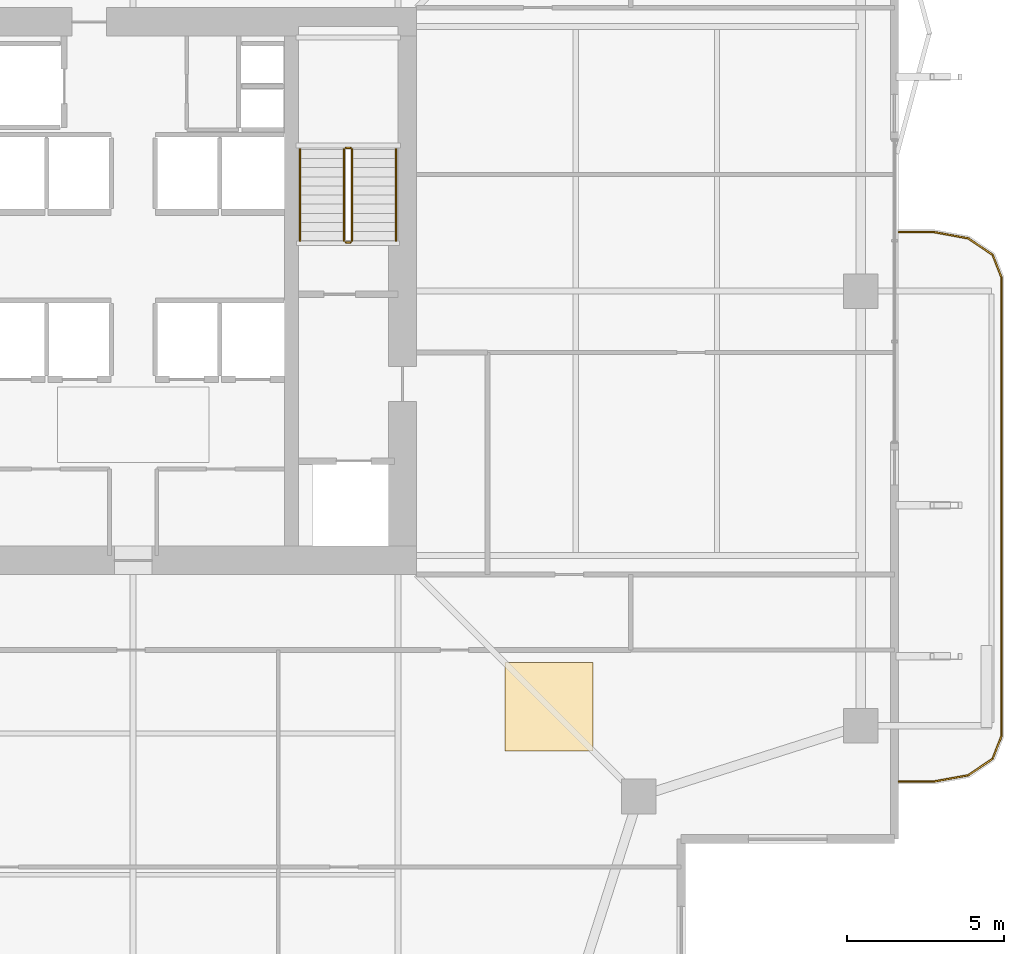
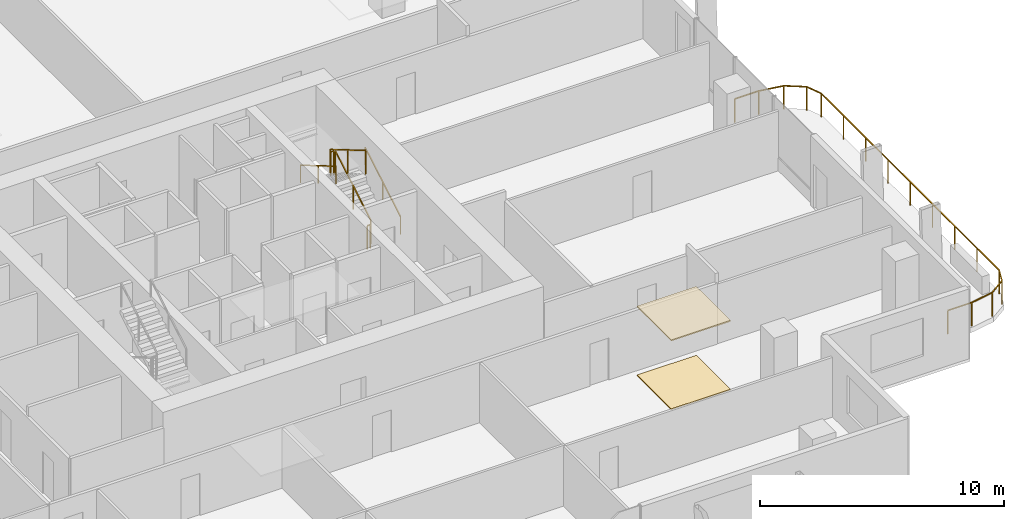
# One storey, part 24 of 25: 7 railings, 2 coverings.
"""IFC4 building model written with IfcOpenShell, lengths in metres."""

from ifc_helpers import new_model, si_unit, direction, frame, origin, origin_2d, place, context, subcontext, project, spatial, polyline, rectangle, outline, extrude, material, layer, layer_set, type_object, element, save


model = new_model("IFC4")

# Units and contexts
model_context = context("Model", 3, precision=1e-05, world=origin(), true_north=direction((0.0, 1.0)))
body_context = subcontext(model_context, "Body", "Model", "MODEL_VIEW")
ifc_project = project(units=[si_unit("LENGTHUNIT", "METRE"), si_unit("AREAUNIT", "SQUARE_METRE"), si_unit("VOLUMEUNIT", "CUBIC_METRE"), si_unit("PLANEANGLEUNIT", "RADIAN"), si_unit("MASSUNIT", "GRAM", prefix="KILO")], contexts=[model_context])

# Site, building, storey
site_placement = place(None, origin())
site = spatial("IfcSite", under=ifc_project, at=site_placement, CompositionType="ELEMENT")
building_placement = place(site_placement, origin())
building = spatial("IfcBuilding", under=site, at=building_placement, Name="Belovzor Exchange Tower", CompositionType="ELEMENT")
storey_placement = place(building_placement, frame((0.0, 0.0, 149.550048828125)))
storey = spatial("IfcBuildingStorey", under=building, at=storey_placement, Name="L36", CompositionType="ELEMENT", Elevation=149.550048828125)

# Railings
ifc_material_1 = material(Name="Stainless Steel Grade 304", Category="steel")
railing_type_1 = type_object("IfcRailingType", Name="Brushed Stainless Steel Stair Handrail 900", PredefinedType="HANDRAIL", material=ifc_material_1)
railing_1_placement = place(storey_placement, frame((37.14990234375, 30.39990234375, 0.17041015625)))
element("IfcRailing", 1, at=railing_1_placement, inside=storey, type_object=railing_type_1, Name="L36 ST-2 stair handrail 1", PredefinedType="HANDRAIL", context=body_context, shape_type="SweptSolid", body=[
    extrude(rectangle(XDim=0.048095703125, YDim=0.048095703125, at=origin_2d()), frame((0.0, 0.0, 0.8759765625), z_axis=(0.0, 0.862113265706, 0.506715617574), x_axis=(-1.0, 0.0, 0.0)), (0.0, 0.0, 1.0), 3.364013671875),
    extrude(rectangle(XDim=0.0419921875, YDim=0.0419921875, at=origin_2d()), origin(), (0.0, 0.0, 1.0), 0.851806640625),
    extrude(rectangle(XDim=0.0419921875, YDim=0.0419921875, at=origin_2d()), frame((0.0, 1.4501953125, 0.852294921875)), (0.0, 0.0, 1.0), 0.851806640625),
    extrude(rectangle(XDim=0.0419921875, YDim=0.0419921875, at=origin_2d()), frame((0.0, 2.900146484375, 1.70458984375)), (0.0, 0.0, 1.0), 0.851806640625),
])
railing_2_placement = place(storey_placement, frame((34.10009765625, 33.300048828125, 2.04541015625)))
element("IfcRailing", 2, at=railing_2_placement, inside=storey, type_object=railing_type_1, Name="L36 ST-2 stair handrail 2", PredefinedType="HANDRAIL", context=body_context, shape_type="SweptSolid", body=[
    extrude(rectangle(XDim=0.048095703125, YDim=0.048095703125, at=origin_2d()), frame((0.0, 0.0, 0.8759765625), z_axis=(0.0, -0.862113265706, 0.506715617574), x_axis=(1.0, 0.0, 0.0)), (0.0, 0.0, 1.0), 3.364013671875),
    extrude(rectangle(XDim=0.0419921875, YDim=0.0419921875, at=origin_2d()), origin(), (0.0, 0.0, 1.0), 0.851806640625),
    extrude(rectangle(XDim=0.0419921875, YDim=0.0419921875, at=origin_2d()), frame((0.0, -1.4501953125, 0.852294921875)), (0.0, 0.0, 1.0), 0.851806640625),
    extrude(rectangle(XDim=0.0419921875, YDim=0.0419921875, at=origin_2d()), frame((0.0, -2.900146484375, 1.70458984375)), (0.0, 0.0, 1.0), 0.851806640625),
])
ifc_material_2 = material(Name="Stainless Steel and Laminated Safety Glass", Category="steel")
railing_type_2 = type_object("IfcRailingType", Name="Laminated Glass & Stainless Steel Balcony Balustrade 1200", PredefinedType="BALUSTRADE", material=ifc_material_2)
railing_3_placement = place(storey_placement, frame((53.110107421875, 13.22998046875, 0.0)))
element("IfcRailing", 3, at=railing_3_placement, inside=storey, type_object=railing_type_2, Name="GR-1 Balcony Balustrade L36 East", PredefinedType="BALUSTRADE", context=body_context, shape_type="SweptSolid", body=[
    extrude(rectangle(XDim=0.048095703125, YDim=0.048095703125, at=origin_2d()), frame((0.0, 0.0, 1.17578125), z_axis=(1.0, 0.0, 0.0), x_axis=(0.0, 1.0, 0.0)), (0.0, 0.0, 1.0), 1.1328125),
    extrude(rectangle(XDim=0.048095703125, YDim=0.048095703125, at=origin_2d()), frame((1.1328125, 0.0, 1.17578125), z_axis=(0.983651385113, 0.180083182347, 0.0), x_axis=(-0.180083182347, 0.983651385113, 0.0)), (0.0, 0.0, 1.0), 1.093994140625),
    extrude(rectangle(XDim=0.048095703125, YDim=0.048095703125, at=origin_2d()), frame((2.208984375, 0.197021484375, 1.17578125), z_axis=(0.826614792125, 0.562768145367, 0.0), x_axis=(-0.562768145367, 0.826614792125, 0.0)), (0.0, 0.0, 1.0), 0.9326171875),
    extrude(rectangle(XDim=0.048095703125, YDim=0.048095703125, at=origin_2d()), frame((2.97998046875, 0.721923828125, 1.17578125), z_axis=(0.365504480807, 0.930809580156, 0.0), x_axis=(-0.930809580156, 0.365504480807, 0.0)), (0.0, 0.0, 1.0), 0.76611328125),
    extrude(rectangle(XDim=0.048095703125, YDim=0.048095703125, at=origin_2d()), frame((3.260009765625, 1.43505859375, 1.17578125), z_axis=(0.0, 1.0, 0.0), x_axis=(-1.0, 0.0, 0.0)), (0.0, 0.0, 1.0), 14.570068359375),
    extrude(rectangle(XDim=0.048095703125, YDim=0.048095703125, at=origin_2d()), frame((3.260009765625, 16.005126953125, 1.17578125), z_axis=(-0.365612923861, 0.930766990125, 0.0), x_axis=(-0.930766990125, -0.365612923861, 0.0)), (0.0, 0.0, 1.0), 0.765869140625),
    extrude(rectangle(XDim=0.048095703125, YDim=0.048095703125, at=origin_2d()), frame((2.97998046875, 16.718017578125, 1.17578125), z_axis=(-0.826614792125, 0.562768145367, 0.0), x_axis=(-0.562768145367, -0.826614792125, 0.0)), (0.0, 0.0, 1.0), 0.9326171875),
    extrude(rectangle(XDim=0.048095703125, YDim=0.048095703125, at=origin_2d()), frame((2.208984375, 17.242919921875, 1.17578125), z_axis=(-0.983651385113, 0.180083182347, 0.0), x_axis=(-0.180083182347, -0.983651385113, 0.0)), (0.0, 0.0, 1.0), 1.093994140625),
    extrude(rectangle(XDim=0.048095703125, YDim=0.048095703125, at=origin_2d()), frame((1.1328125, 17.43994140625, 1.17578125), z_axis=(-1.0, 0.0, 0.0), x_axis=(0.0, -1.0, 0.0)), (0.0, 0.0, 1.0), 1.1328125),
    extrude(rectangle(XDim=0.0419921875, YDim=0.0419921875, at=origin_2d()), origin(), (0.0, 0.0, 1.0), 1.15185546875),
    extrude(rectangle(XDim=0.0419921875, YDim=0.0419921875, at=origin_2d()), frame((1.1328125, 0.0, 0.0)), (0.0, 0.0, 1.0), 1.15185546875),
    extrude(rectangle(XDim=0.0419921875, YDim=0.0419921875, at=origin_2d()), frame((2.208984375, 0.197021484375, 0.0)), (0.0, 0.0, 1.0), 1.15185546875),
    extrude(rectangle(XDim=0.0419921875, YDim=0.0419921875, at=origin_2d()), frame((2.97998046875, 0.721923828125, 0.0)), (0.0, 0.0, 1.0), 1.15185546875),
    extrude(rectangle(XDim=0.0419921875, YDim=0.0419921875, at=origin_2d()), frame((3.260009765625, 1.43505859375, 0.0)), (0.0, 0.0, 1.0), 1.15185546875),
    extrude(rectangle(XDim=0.0419921875, YDim=0.0419921875, at=origin_2d()), frame((3.260009765625, 3.25634765625, 0.0)), (0.0, 0.0, 1.0), 1.15185546875),
    extrude(rectangle(XDim=0.0419921875, YDim=0.0419921875, at=origin_2d()), frame((3.260009765625, 5.07763671875, 0.0)), (0.0, 0.0, 1.0), 1.15185546875),
    extrude(rectangle(XDim=0.0419921875, YDim=0.0419921875, at=origin_2d()), frame((3.260009765625, 6.89892578125, 0.0)), (0.0, 0.0, 1.0), 1.15185546875),
    extrude(rectangle(XDim=0.0419921875, YDim=0.0419921875, at=origin_2d()), frame((3.260009765625, 8.72021484375, 0.0)), (0.0, 0.0, 1.0), 1.15185546875),
    extrude(rectangle(XDim=0.0419921875, YDim=0.0419921875, at=origin_2d()), frame((3.260009765625, 10.541259765625, 0.0)), (0.0, 0.0, 1.0), 1.15185546875),
    extrude(rectangle(XDim=0.0419921875, YDim=0.0419921875, at=origin_2d()), frame((3.260009765625, 12.362548828125, 0.0)), (0.0, 0.0, 1.0), 1.15185546875),
    extrude(rectangle(XDim=0.0419921875, YDim=0.0419921875, at=origin_2d()), frame((3.260009765625, 14.183837890625, 0.0)), (0.0, 0.0, 1.0), 1.15185546875),
    extrude(rectangle(XDim=0.0419921875, YDim=0.0419921875, at=origin_2d()), frame((3.260009765625, 16.005126953125, 0.0)), (0.0, 0.0, 1.0), 1.15185546875),
    extrude(rectangle(XDim=0.0419921875, YDim=0.0419921875, at=origin_2d()), frame((2.97998046875, 16.718017578125, 0.0)), (0.0, 0.0, 1.0), 1.15185546875),
    extrude(rectangle(XDim=0.0419921875, YDim=0.0419921875, at=origin_2d()), frame((2.208984375, 17.242919921875, 0.0)), (0.0, 0.0, 1.0), 1.15185546875),
    extrude(rectangle(XDim=0.0419921875, YDim=0.0419921875, at=origin_2d()), frame((1.1328125, 17.43994140625, 0.0)), (0.0, 0.0, 1.0), 1.15185546875),
    extrude(rectangle(XDim=0.0419921875, YDim=0.0419921875, at=origin_2d()), frame((0.0, 17.43994140625, 0.0)), (0.0, 0.0, 1.0), 1.15185546875),
])
ifc_material_3 = material(Name="Steel S355", Category="steel")
railing_type_3 = type_object("IfcRailingType", Name="Painted Steel Stairwell Guardrail 1200", PredefinedType="GUARDRAIL", material=ifc_material_3)
railing_4_placement = place(storey_placement, frame((35.75, 30.39990234375, 0.17041015625)))
element("IfcRailing", 4, at=railing_4_placement, inside=storey, type_object=railing_type_3, Name="L36 ST-2 stair guard 1", PredefinedType="GUARDRAIL", context=body_context, shape_type="SweptSolid", body=[
    extrude(rectangle(XDim=0.048095703125, YDim=0.048095703125, at=origin_2d()), frame((0.0, 0.0, 1.17578125), z_axis=(0.0, 0.862113265706, 0.506715617574), x_axis=(-1.0, 0.0, 0.0)), (0.0, 0.0, 1.0), 3.364013671875),
    extrude(rectangle(XDim=0.0419921875, YDim=0.0419921875, at=origin_2d()), origin(), (0.0, 0.0, 1.0), 1.15185546875),
    extrude(rectangle(XDim=0.0419921875, YDim=0.0419921875, at=origin_2d()), frame((0.0, 1.4501953125, 0.852294921875)), (0.0, 0.0, 1.0), 1.15185546875),
    extrude(rectangle(XDim=0.0419921875, YDim=0.0419921875, at=origin_2d()), frame((0.0, 2.900146484375, 1.70458984375)), (0.0, 0.0, 1.0), 1.15185546875),
])
railing_5_placement = place(storey_placement, frame((35.699951171875, 33.35009765625, 1.875)))
element("IfcRailing", 5, at=railing_5_placement, inside=storey, type_object=railing_type_3, Name="L36 ST-2 stair guard 2", PredefinedType="GUARDRAIL", context=body_context, shape_type="SweptSolid", body=[
    extrude(rectangle(XDim=0.048095703125, YDim=0.048095703125, at=origin_2d()), frame((0.0, 0.0, 1.17578125), z_axis=(-1.0, 0.0, 0.0), x_axis=(0.0, -1.0, 0.0)), (0.0, 0.0, 1.0), 0.14990234375),
    extrude(rectangle(XDim=0.0419921875, YDim=0.0419921875, at=origin_2d()), origin(), (0.0, 0.0, 1.0), 1.15185546875),
    extrude(rectangle(XDim=0.0419921875, YDim=0.0419921875, at=origin_2d()), frame((-0.14990234375, 0.0, 0.0)), (0.0, 0.0, 1.0), 1.15185546875),
])
railing_6_placement = place(storey_placement, frame((35.5, 33.300048828125, 2.04541015625)))
element("IfcRailing", 6, at=railing_6_placement, inside=storey, type_object=railing_type_3, Name="L36 ST-2 stair guard 3", PredefinedType="GUARDRAIL", context=body_context, shape_type="SweptSolid", body=[
    extrude(rectangle(XDim=0.048095703125, YDim=0.048095703125, at=origin_2d()), frame((0.0, 0.0, 1.17578125), z_axis=(0.0, -0.862113265706, 0.506715617574), x_axis=(1.0, 0.0, 0.0)), (0.0, 0.0, 1.0), 3.364013671875),
    extrude(rectangle(XDim=0.0419921875, YDim=0.0419921875, at=origin_2d()), origin(), (0.0, 0.0, 1.0), 1.15185546875),
    extrude(rectangle(XDim=0.0419921875, YDim=0.0419921875, at=origin_2d()), frame((0.0, -1.4501953125, 0.852294921875)), (0.0, 0.0, 1.0), 1.15185546875),
    extrude(rectangle(XDim=0.0419921875, YDim=0.0419921875, at=origin_2d()), frame((0.0, -2.900146484375, 1.70458984375)), (0.0, 0.0, 1.0), 1.15185546875),
])
railing_7_placement = place(storey_placement, frame((35.699951171875, 30.35009765625, 0.0)))
element("IfcRailing", 7, at=railing_7_placement, inside=storey, type_object=railing_type_3, Name="L36 ST-2 stair guard 4", PredefinedType="GUARDRAIL", context=body_context, shape_type="SweptSolid", body=[
    extrude(rectangle(XDim=0.048095703125, YDim=0.048095703125, at=origin_2d()), frame((0.0, 0.0, 1.17578125), z_axis=(-1.0, 0.0, 0.0), x_axis=(0.0, -1.0, 0.0)), (0.0, 0.0, 1.0), 0.14990234375),
    extrude(rectangle(XDim=0.0419921875, YDim=0.0419921875, at=origin_2d()), origin(), (0.0, 0.0, 1.0), 1.15185546875),
    extrude(rectangle(XDim=0.0419921875, YDim=0.0419921875, at=origin_2d()), frame((-0.14990234375, 0.0, 0.0)), (0.0, 0.0, 1.0), 1.15185546875),
])

# Coverings
ifc_material_4 = material(Name="Perforated Powder-Coated Aluminium", Category="aluminium")
ifc_layer_1 = layer(ifc_material_4, 0.06005859375)
ifc_layer_set_1 = layer_set([ifc_layer_1], Name="Perforated Powder-Coated Aluminium")
covering_type_1 = type_object("IfcCoveringType", Name="Perforated Acoustic Metal Tile Suspended Ceiling 60", PredefinedType="CEILING", material=ifc_layer_set_1)
covering_1_placement = place(storey_placement, frame((0.0, 0.0, 3.43505859375)))
element("IfcCovering", 8, at=covering_1_placement, inside=storey, type_object=covering_type_1, Name="CLG-AC60 Suspended Ceiling CLG-L36-Z1", PredefinedType="CEILING", context=body_context, shape_type="SweptSolid", body=[
    extrude(outline(polyline([(40.60009765625, 14.199951171875), (43.39990234375, 14.199951171875), (43.39990234375, 17.0), (40.60009765625, 17.0), (40.60009765625, 14.199951171875)])), origin(), (0.0, 0.0, 1.0), 0.059814453125),
])
ifc_material_5 = material(Name="Polished Natural Granite Tile", Category="masonry")
ifc_layer_2 = layer(ifc_material_5, 0.050048828125)
ifc_layer_set_2 = layer_set([ifc_layer_2], Name="Polished Natural Granite Tile")
covering_type_2 = type_object("IfcCoveringType", Name="Polished Karelian Granite & Raised Access Floor Finish 50", PredefinedType="FLOORING", material=ifc_layer_set_2)
covering_2_placement = place(storey_placement, origin())
element("IfcCovering", 9, at=covering_2_placement, inside=storey, type_object=covering_type_2, Name="FLR-GR50 Floor Finish FLR-L36-Z1", PredefinedType="FLOORING", context=body_context, shape_type="SweptSolid", body=[
    extrude(outline(polyline([(40.60009765625, 14.199951171875), (43.39990234375, 14.199951171875), (43.39990234375, 17.0), (40.60009765625, 17.0), (40.60009765625, 14.199951171875)])), origin(), (0.0, 0.0, 1.0), 0.050048828125),
])

save(model, "model.ifc")
